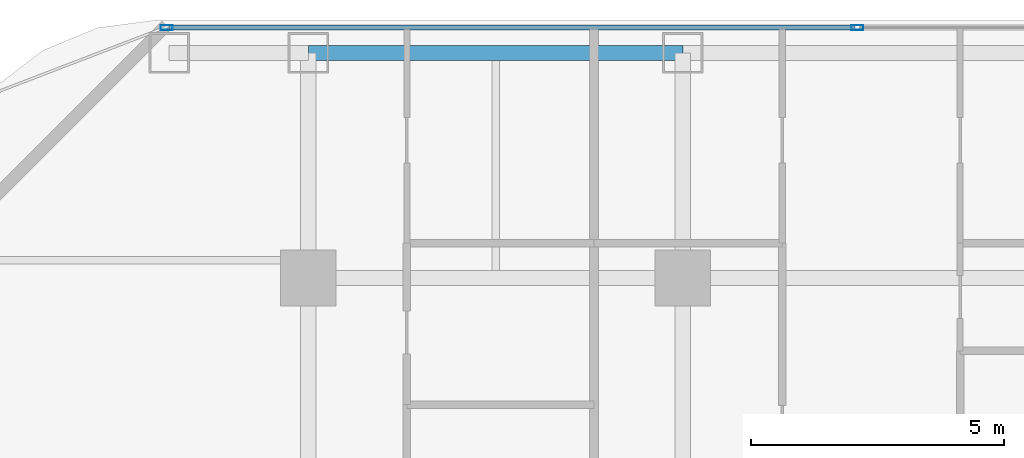
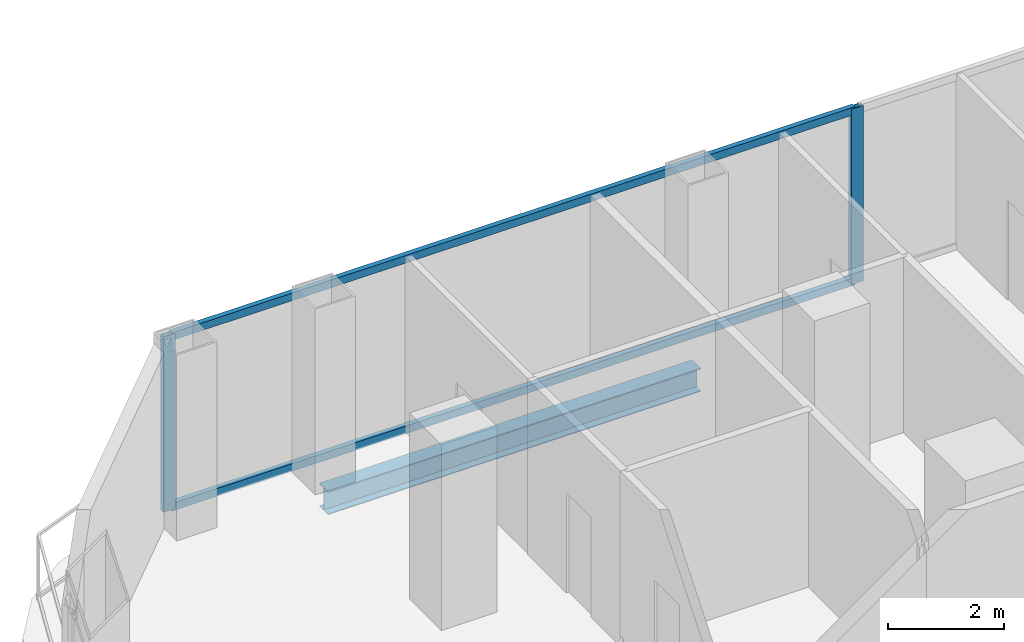
# One storey, part 16 of 27: 4 members, 1 beam, 1 element without a shape of its own.
"""IFC4 building model written with IfcOpenShell, lengths in metres."""

from ifc_helpers import new_model, si_unit, direction, frame, origin, origin_2d, place, context, subcontext, project, spatial, hollow_rectangle, i_section, extrude, material, layer, layer_set, material_profile, profile_set, type_object, element, aggregate, save


model = new_model("IFC4")

# Units and contexts
model_context = context("Model", 3, precision=1e-05, world=origin(), true_north=direction((0.0, 1.0)))
body_context = subcontext(model_context, "Body", "Model", "MODEL_VIEW")
ifc_project = project(units=[si_unit("LENGTHUNIT", "METRE"), si_unit("AREAUNIT", "SQUARE_METRE"), si_unit("VOLUMEUNIT", "CUBIC_METRE"), si_unit("PLANEANGLEUNIT", "RADIAN"), si_unit("MASSUNIT", "GRAM", prefix="KILO")], contexts=[model_context])

# Site, building, storey
site_placement = place(None, origin())
site = spatial("IfcSite", under=ifc_project, at=site_placement, CompositionType="ELEMENT")
building_placement = place(site_placement, origin())
building = spatial("IfcBuilding", under=site, at=building_placement, Name="Khorvyn Point Tower", CompositionType="ELEMENT")
storey_placement = place(building_placement, frame((0.0, 0.0, 42.300048828125)))
storey = spatial("IfcBuildingStorey", under=building, at=storey_placement, Name="L11", CompositionType="ELEMENT", Elevation=42.300048828125)

# Curtain wall, members
ifc_material_1 = material(Name="Anodised aluminium 6063-T6 and laminated Low-E glass", Category="aluminium")
ifc_layer = layer(ifc_material_1, 0.18994140625)
ifc_layer_set = layer_set([ifc_layer], Name="Stick-Built Finned Residential Curtain Wall CW-SYS-02")
curtain_wall_type = type_object("IfcCurtainWallType", Name="Stick-Built Finned Residential Curtain Wall CW-SYS-02", PredefinedType="NOTDEFINED", material=ifc_layer_set)
curtain_wall_placement = place(storey_placement, origin())
curtain_wall = element("IfcCurtainWall", 1, at=curtain_wall_placement, inside=storey, type_object=curtain_wall_type, Name="Curtain Wall", PredefinedType="NOTDEFINED")
ifc_material_2 = material(Name="Anodised aluminium 6063-T6", Category="aluminium")
ifc_material_profile_1 = material_profile(ifc_material_2, hollow_rectangle(XDim=0.10009765625, YDim=0.239990234375, WallThickness=0.0048828125, at=origin_2d()))
ifc_profile_set_1 = profile_set([ifc_material_profile_1], Name="Anodised aluminium 6063-T6 ALU-MUL-100x240")
member_type_1 = type_object("IfcMemberType", Name="Anodised Aluminium 6063-T6 Mullion ALU-MUL-100x240", PredefinedType="MULLION", material=ifc_profile_set_1)
member_1_placement = place(storey_placement, frame((-17.60009765625, 25.050048828125, 0.0), z_axis=(0.0, 0.0, 1.0), x_axis=(0.0, 1.0, 0.0)))
member_1 = element("IfcMember", 2, at=member_1_placement, type_object=member_type_1, Name="Transom", PredefinedType="MULLION", context=body_context, shape_type="SweptSolid", body=[
    extrude(hollow_rectangle(XDim=0.10009765625, YDim=0.239990234375, WallThickness=0.0048828125, at=origin_2d()), origin(), (0.0, 0.0, 1.0), 3.679931640625),
])
member_2_placement = place(storey_placement, frame((-3.949951171875, 25.050048828125, 0.0), z_axis=(0.0, 0.0, 1.0), x_axis=(0.0, 1.0, 0.0)))
member_2 = element("IfcMember", 3, at=member_2_placement, type_object=member_type_1, Name="Transom", PredefinedType="MULLION", context=body_context, shape_type="SweptSolid", body=[
    extrude(hollow_rectangle(XDim=0.10009765625, YDim=0.239990234375, WallThickness=0.0048828125, at=origin_2d()), origin(), (0.0, 0.0, 1.0), 3.679931640625),
])
ifc_material_profile_2 = material_profile(ifc_material_2, hollow_rectangle(XDim=0.10009765625, YDim=0.159912109375, WallThickness=0.00439453125, at=origin_2d()))
ifc_profile_set_2 = profile_set([ifc_material_profile_2], Name="Anodised aluminium 6063-T6 ALU-TRN-100x160")
member_type_2 = type_object("IfcMemberType", Name="Anodised Aluminium 6063-T6 Transom ALU-TRN-100x160", PredefinedType="USERDEFINED", material=ifc_profile_set_2)
member_3_placement = place(storey_placement, frame((-17.550048828125, 25.050048828125, 0.050048828125), z_axis=(1.0, 0.0, 0.0), x_axis=(0.0, 1.0, 0.0)))
member_3 = element("IfcMember", 4, at=member_3_placement, type_object=member_type_2, Name="Transom", ObjectType="TRANSOM", PredefinedType="USERDEFINED", context=body_context, shape_type="SweptSolid", body=[
    extrude(hollow_rectangle(XDim=0.10009765625, YDim=0.159912109375, WallThickness=0.00439453125, at=origin_2d()), origin(), (0.0, 0.0, 1.0), 13.550048828125),
])
member_4_placement = place(storey_placement, frame((-17.550048828125, 25.050048828125, 3.6298828125), z_axis=(1.0, 0.0, 0.0), x_axis=(0.0, 1.0, 0.0)))
member_4 = element("IfcMember", 5, at=member_4_placement, type_object=member_type_2, Name="Transom", ObjectType="TRANSOM", PredefinedType="USERDEFINED", context=body_context, shape_type="SweptSolid", body=[
    extrude(hollow_rectangle(XDim=0.10009765625, YDim=0.159912109375, WallThickness=0.00439453125, at=origin_2d()), origin(), (0.0, 0.0, 1.0), 13.550048828125),
])
aggregate(curtain_wall, [member_1, member_2, member_3, member_4])

# Beam
ifc_material_3 = material(Name="Steel S355", Category="steel")
ifc_material_profile_3 = material_profile(ifc_material_3, i_section(OverallWidth=0.300048828125, OverallDepth=0.488037109375, WebThickness=0.010986328125, FlangeThickness=0.01806640625, at=origin_2d()))
ifc_profile_set_3 = profile_set([ifc_material_profile_3], Name="Steel S355 H488x300x11x18")
beam_type = type_object("IfcBeamType", Name="Steel S355 Spandrel H488x300x11x18", PredefinedType="SPANDREL", material=ifc_profile_set_3)
beam_placement = place(storey_placement, frame((-14.800048828125, 24.550048828125, -0.464111328125), z_axis=(1.0, 0.0, 0.0), x_axis=(0.0, 1.0, 0.0)))
element("IfcBeam", 6, at=beam_placement, inside=storey, type_object=beam_type, Name="Beam", PredefinedType="SPANDREL", context=body_context, shape_type="SweptSolid", body=[
    extrude(i_section(OverallWidth=0.300048828125, OverallDepth=0.488037109375, WebThickness=0.010986328125, FlangeThickness=0.01806640625, at=origin_2d()), origin(), (0.0, 0.0, 1.0), 7.400146484375),
])

save(model, "model.ifc")
